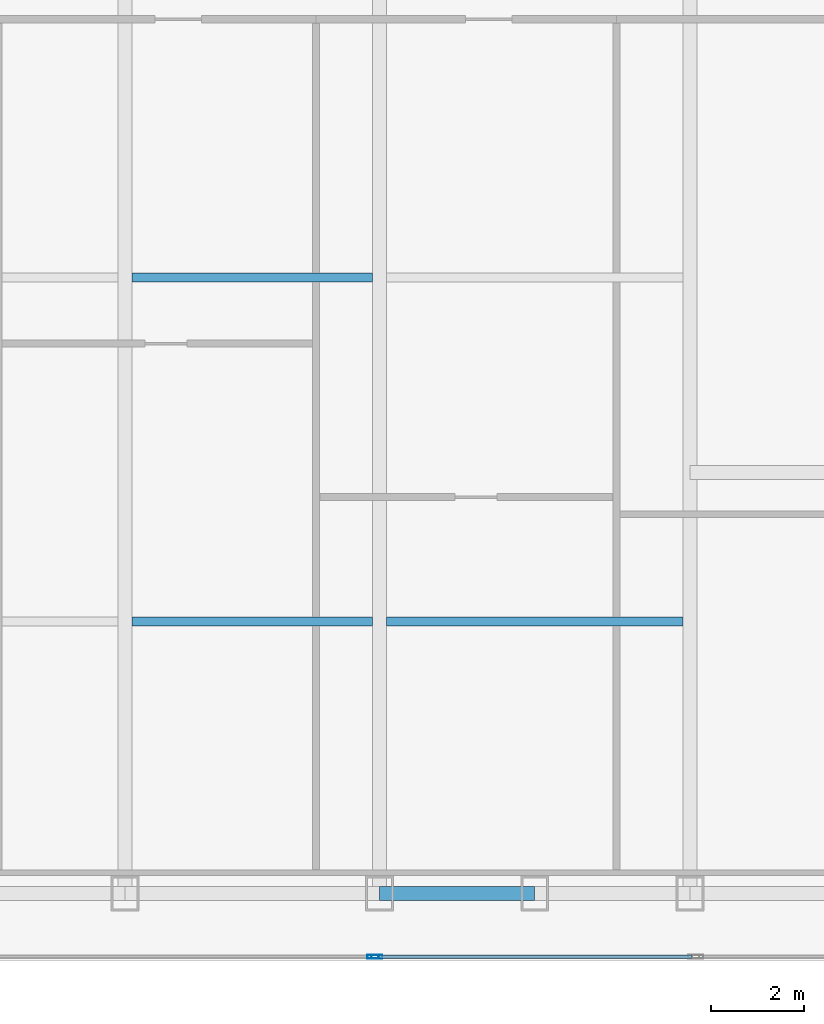
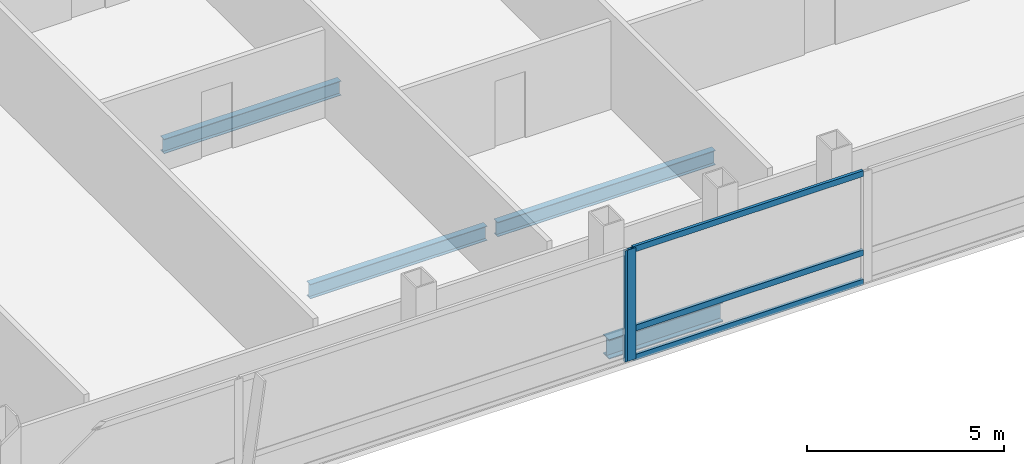
# One storey, part 12 of 30: 5 members, 4 beams, 2 elements without a shape of their own.
"""IFC4 building model written with IfcOpenShell, lengths in metres."""

from ifc_helpers import new_model, si_unit, direction, frame, origin, origin_2d, place, context, subcontext, project, spatial, hollow_rectangle, i_section, extrude, material, material_profile, profile_set, type_object, element, aggregate, save


model = new_model("IFC4")

# Units and contexts
model_context = context("Model", 3, precision=1e-05, world=origin(), true_north=direction((0.0, 1.0)))
body_context = subcontext(model_context, "Body", "Model", "MODEL_VIEW")
ifc_project = project(units=[si_unit("LENGTHUNIT", "METRE"), si_unit("AREAUNIT", "SQUARE_METRE"), si_unit("VOLUMEUNIT", "CUBIC_METRE"), si_unit("PLANEANGLEUNIT", "RADIAN"), si_unit("MASSUNIT", "GRAM", prefix="KILO")], contexts=[model_context])

# Site, building, storey
site_placement = place(None, origin())
site = spatial("IfcSite", under=ifc_project, at=site_placement, CompositionType="ELEMENT")
building_placement = place(site_placement, origin())
building = spatial("IfcBuilding", under=site, at=building_placement, Name="Khoronbel Lancet Exchange", CompositionType="ELEMENT")
storey_placement = place(building_placement, frame((0.0, 0.0, 213.800048828125)))
storey = spatial("IfcBuildingStorey", under=building, at=storey_placement, Name="L54", CompositionType="ELEMENT", Elevation=213.800048828125)

# Beams
ifc_material_1 = material(Name="Steel S355", Category="steel")
ifc_material_profile_1 = material_profile(ifc_material_1, i_section(OverallWidth=0.18994140625, OverallDepth=0.449951171875, WebThickness=0.009521484375, FlangeThickness=0.0146484375, at=origin_2d()), Name="IPE 450")
ifc_profile_set_1 = profile_set([ifc_material_profile_1], Name="Steel S355")
beam_type_1 = type_object("IfcBeamType", Name="BM-BJ4", PredefinedType="JOIST", material=ifc_profile_set_1)
beam_1_placement = place(storey_placement, frame((42.675048828125, 16.0, -0.385009765625), z_axis=(1.0, 0.0, 0.0), x_axis=(0.0, 1.0, 0.0)))
element("IfcBeam", 1, at=beam_1_placement, inside=storey, type_object=beam_type_1, Name="Level L54 secondary composite joist J04", PredefinedType="JOIST", context=body_context, shape_type="SweptSolid", body=[
    extrude(i_section(OverallWidth=0.18994140625, OverallDepth=0.449951171875, WebThickness=0.009521484375, FlangeThickness=0.0146484375, at=origin_2d()), origin(), (0.0, 0.0, 1.0), 5.175048828125),
])
beam_2_placement = place(storey_placement, frame((48.14990234375, 16.0, -0.385009765625), z_axis=(1.0, 0.0, 0.0), x_axis=(0.0, 1.0, 0.0)))
element("IfcBeam", 2, at=beam_2_placement, inside=storey, type_object=beam_type_1, Name="Level L54 secondary composite joist J05", PredefinedType="JOIST", context=body_context, shape_type="SweptSolid", body=[
    extrude(i_section(OverallWidth=0.18994140625, OverallDepth=0.449951171875, WebThickness=0.009521484375, FlangeThickness=0.0146484375, at=origin_2d()), origin(), (0.0, 0.0, 1.0), 6.375),
])
beam_3_placement = place(storey_placement, frame((42.675048828125, 23.39990234375, -0.385009765625), z_axis=(1.0, 0.0, 0.0), x_axis=(0.0, 1.0, 0.0)))
element("IfcBeam", 3, at=beam_3_placement, inside=storey, type_object=beam_type_1, Name="Level L54 secondary composite joist J09", PredefinedType="JOIST", context=body_context, shape_type="SweptSolid", body=[
    extrude(i_section(OverallWidth=0.18994140625, OverallDepth=0.449951171875, WebThickness=0.009521484375, FlangeThickness=0.0146484375, at=origin_2d()), origin(), (0.0, 0.0, 1.0), 5.175048828125),
])
ifc_material_profile_2 = material_profile(ifc_material_1, i_section(OverallWidth=0.300048828125, OverallDepth=0.60009765625, WebThickness=0.015380859375, FlangeThickness=0.030029296875, at=origin_2d()), Name="HEB 600")
ifc_profile_set_2 = profile_set([ifc_material_profile_2], Name="Steel S355")
beam_type_2 = type_object("IfcBeamType", Name="BM-BSP2", PredefinedType="SPANDREL", material=ifc_profile_set_2)
beam_4_placement = place(storey_placement, frame((48.0, 10.14990234375, -0.4599609375), z_axis=(1.0, 0.0, 0.0), x_axis=(0.0, 1.0, 0.0)))
element("IfcBeam", 4, at=beam_4_placement, inside=storey, type_object=beam_type_2, Name="Level L54 perimeter spandrel beam SP07", PredefinedType="SPANDREL", context=body_context, shape_type="SweptSolid", body=[
    extrude(i_section(OverallWidth=0.300048828125, OverallDepth=0.60009765625, WebThickness=0.015380859375, FlangeThickness=0.030029296875, at=origin_2d()), origin(), (0.0, 0.0, 1.0), 3.33740234375),
])

# Curtain wall, member
ifc_material_2 = material(Name="Low-E Solar Control Insulating Glass", Category="glass")
curtain_wall_type = type_object("IfcCurtainWallType", Name="CW-3", PredefinedType="NOTDEFINED", material=ifc_material_2)
curtain_wall_1_placement = place(storey_placement, origin())
curtain_wall_1 = element("IfcCurtainWall", 5, at=curtain_wall_1_placement, inside=storey, type_object=curtain_wall_type, Name="Unitised curtain wall CW-L54-SCV", PredefinedType="NOTDEFINED")
ifc_material_3 = material(Name="Bronze-Anodised Aluminium 6063-T6", Category="aluminium")
ifc_material_profile_3 = material_profile(ifc_material_3, hollow_rectangle(XDim=0.0849609375, YDim=0.239990234375, WallThickness=0.006103515625, at=origin_2d()), Name="ALU MULLION 85x240")
ifc_profile_set_3 = profile_set([ifc_material_profile_3], Name="Bronze-Anodised Aluminium 6063-T6")
member_type_1 = type_object("IfcMemberType", Name="MEM-CWM1", PredefinedType="MULLION", material=ifc_profile_set_3)
member_1_placement = place(storey_placement, frame((47.857421875, 8.7900390625, 0.0), z_axis=(0.0, 0.0, 1.0), x_axis=(0.0, 1.0, 0.0)))
member_1 = element("IfcMember", 6, at=member_1_placement, type_object=member_type_1, Name="CW3 mullion 3", PredefinedType="MULLION", context=body_context, shape_type="SweptSolid", body=[
    extrude(hollow_rectangle(XDim=0.0849609375, YDim=0.239990234375, WallThickness=0.006103515625, at=origin_2d()), origin(), (0.0, 0.0, 1.0), 3.43994140625),
])
aggregate(curtain_wall_1, [member_1])

# Curtain wall, members
curtain_wall_2_placement = place(storey_placement, origin())
curtain_wall_2 = element("IfcCurtainWall", 7, at=curtain_wall_2_placement, inside=storey, type_object=curtain_wall_type, Name="Unitised curtain wall CW-L54-SEB", PredefinedType="NOTDEFINED")
member_2_placement = place(storey_placement, frame((47.9423828125, 8.7900390625, 0.0), z_axis=(0.0, 0.0, 1.0), x_axis=(0.0, 1.0, 0.0)))
member_2 = element("IfcMember", 8, at=member_2_placement, type_object=member_type_1, Name="CW3 mullion 1", PredefinedType="MULLION", context=body_context, shape_type="SweptSolid", body=[
    extrude(hollow_rectangle(XDim=0.0849609375, YDim=0.239990234375, WallThickness=0.006103515625, at=origin_2d()), origin(), (0.0, 0.0, 1.0), 3.43994140625),
])
ifc_material_profile_4 = material_profile(ifc_material_3, hollow_rectangle(XDim=0.0849609375, YDim=0.179931640625, WallThickness=0.0048828125, at=origin_2d()), Name="ALU TRANSOM 85x180")
ifc_profile_set_4 = profile_set([ifc_material_profile_4], Name="Bronze-Anodised Aluminium 6063-T6")
member_type_2 = type_object("IfcMemberType", Name="MEM-CWT1", PredefinedType="USERDEFINED", material=ifc_profile_set_4)
member_3_placement = place(storey_placement, frame((47.985107421875, 8.7900390625, 0.04248046875), z_axis=(1.0, 0.0, 0.0), x_axis=(0.0, 1.0, 0.0)))
member_3 = element("IfcMember", 9, at=member_3_placement, type_object=member_type_2, Name="CW3 transom 1.1", ObjectType="TRANSOM", PredefinedType="USERDEFINED", context=body_context, shape_type="SweptSolid", body=[
    extrude(hollow_rectangle(XDim=0.0849609375, YDim=0.179931640625, WallThickness=0.0048828125, at=origin_2d()), origin(), (0.0, 0.0, 1.0), 6.72998046875),
])
member_4_placement = place(storey_placement, frame((47.985107421875, 8.7900390625, 0.949951171875), z_axis=(1.0, 0.0, 0.0), x_axis=(0.0, 1.0, 0.0)))
member_4 = element("IfcMember", 10, at=member_4_placement, type_object=member_type_2, Name="CW3 transom 1.2", ObjectType="TRANSOM", PredefinedType="USERDEFINED", context=body_context, shape_type="SweptSolid", body=[
    extrude(hollow_rectangle(XDim=0.0849609375, YDim=0.179931640625, WallThickness=0.0048828125, at=origin_2d()), origin(), (0.0, 0.0, 1.0), 6.72998046875),
])
member_5_placement = place(storey_placement, frame((47.985107421875, 8.7900390625, 3.3974609375), z_axis=(1.0, 0.0, 0.0), x_axis=(0.0, 1.0, 0.0)))
member_5 = element("IfcMember", 11, at=member_5_placement, type_object=member_type_2, Name="CW3 transom 1.3", ObjectType="TRANSOM", PredefinedType="USERDEFINED", context=body_context, shape_type="SweptSolid", body=[
    extrude(hollow_rectangle(XDim=0.0849609375, YDim=0.179931640625, WallThickness=0.0048828125, at=origin_2d()), origin(), (0.0, 0.0, 1.0), 6.72998046875),
])
aggregate(curtain_wall_2, [member_2, member_3, member_4, member_5])

save(model, "model.ifc")
